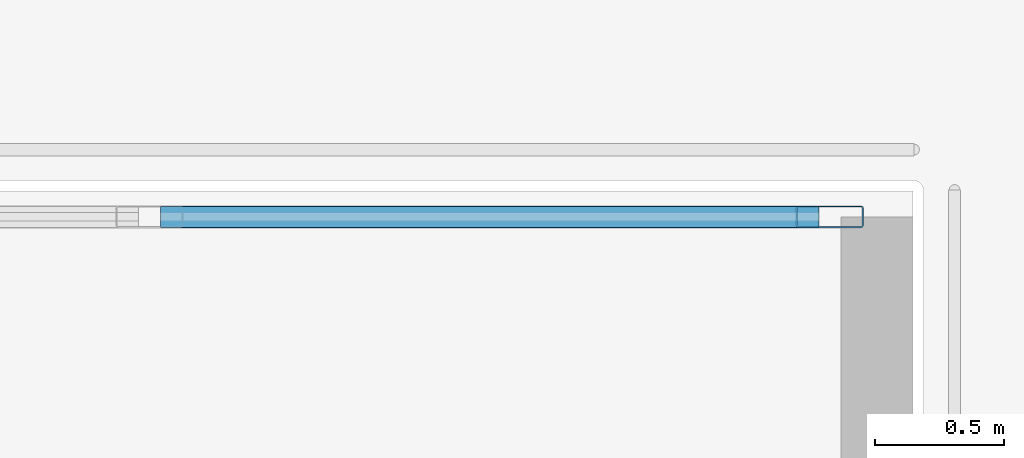
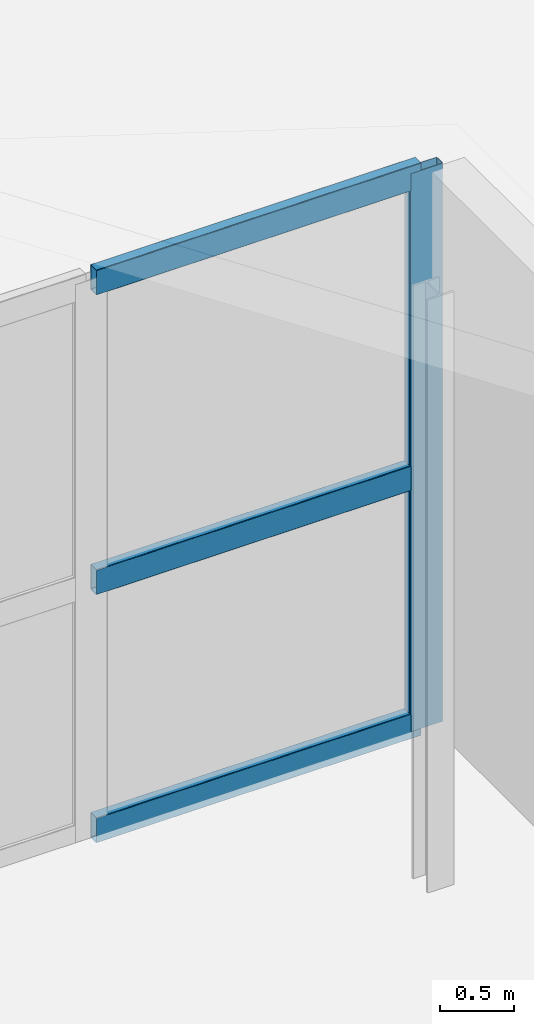
# One storey, part 5 of 9: 4 members, 1 element without a shape of its own.
"""IFC4 building model written with IfcOpenShell, lengths in metres."""

from ifc_helpers import new_model, si_unit, direction, frame, origin, origin_2d, place, context, subcontext, project, spatial, hollow_rectangle, extrude, material, layer, layer_set, material_profile, profile_set, type_object, element, aggregate, save


model = new_model("IFC4")

# Units and contexts
model_context = context("Model", 3, precision=1e-05, world=origin(), true_north=direction((0.0, 1.0)))
body_context = subcontext(model_context, "Body", "Model", "MODEL_VIEW")
ifc_project = project(units=[si_unit("LENGTHUNIT", "METRE"), si_unit("AREAUNIT", "SQUARE_METRE"), si_unit("VOLUMEUNIT", "CUBIC_METRE"), si_unit("PLANEANGLEUNIT", "RADIAN"), si_unit("MASSUNIT", "GRAM", prefix="KILO")], contexts=[model_context])

# Site, building, storey
site_placement = place(None, origin())
site = spatial("IfcSite", under=ifc_project, at=site_placement, CompositionType="ELEMENT")
building_placement = place(site_placement, origin())
building = spatial("IfcBuilding", under=site, at=building_placement, Name="Varnakote Quay Hospital", CompositionType="ELEMENT")
storey_placement = place(building_placement, frame((0.0, 0.0, 309.199951171875)))
storey = spatial("IfcBuildingStorey", under=building, at=storey_placement, Name="RF", CompositionType="ELEMENT", Elevation=309.199951171875)

# Curtain wall, members
ifc_material_1 = material(Name="Anodised aluminium 6063-T6 Bronze", Category="aluminium")
ifc_layer = layer(ifc_material_1, 0.25)
ifc_layer_set = layer_set([ifc_layer], Name="Anodised aluminium 6063-T6 Bronze")
curtain_wall_type = type_object("IfcCurtainWallType", Name="CW-SYS-6", PredefinedType="NOTDEFINED", material=ifc_layer_set)
curtain_wall_placement = place(storey_placement, origin())
curtain_wall = element("IfcCurtainWall", 1, at=curtain_wall_placement, inside=storey, type_object=curtain_wall_type, Name="RF Slanted-Cut Crown Curtain Wall 151", PredefinedType="NOTDEFINED")
ifc_material_2 = material(Name="Anodised aluminium 6063-T6 Bronze", Category="aluminium")
ifc_material_profile_1 = material_profile(ifc_material_2, hollow_rectangle(XDim=0.0849609375, YDim=0.260009765625, WallThickness=0.0048828125, InnerFilletRadius=0.0048828125, OuterFilletRadius=0.010009765625, at=origin_2d()), Name="CW-MULL-260x85")
ifc_profile_set_1 = profile_set([ifc_material_profile_1], Name="Anodised aluminium 6063-T6 Bronze")
member_type_1 = type_object("IfcMemberType", Name="CW-MULL-260x85", PredefinedType="MULLION", material=ifc_profile_set_1)
member_1_placement = place(storey_placement, frame((34.4775390625, 13.64990234375, 0.0), z_axis=(0.0, 0.0, 1.0), x_axis=(0.0, 1.0, 0.0)))
member_1 = element("IfcMember", 2, at=member_1_placement, type_object=member_type_1, Name="CW6-RF-151 mullion 4", PredefinedType="MULLION", context=body_context, shape_type="SweptSolid", body=[
    extrude(hollow_rectangle(XDim=0.0849609375, YDim=0.260009765625, WallThickness=0.0048828125, InnerFilletRadius=0.0048828125, OuterFilletRadius=0.010009765625, at=origin_2d()), origin(), (0.0, 0.0, 1.0), 4.628662109375),
])
ifc_material_3 = material(Name="Anodised aluminium 6063-T6 Bronze", Category="aluminium")
ifc_material_profile_2 = material_profile(ifc_material_3, hollow_rectangle(XDim=0.0849609375, YDim=0.2099609375, WallThickness=0.00439453125, InnerFilletRadius=0.00439453125, OuterFilletRadius=0.009033203125, at=origin_2d()), Name="CW-TRAN-210x85")
ifc_profile_set_2 = profile_set([ifc_material_profile_2], Name="Anodised aluminium 6063-T6 Bronze")
member_type_2 = type_object("IfcMemberType", Name="CW-TRAN-210x85", PredefinedType="USERDEFINED", material=ifc_profile_set_2)
member_2_placement = place(storey_placement, frame((31.88916015625, 13.64990234375, 0.04248046875), z_axis=(1.0, 0.0, 0.0), x_axis=(0.0, 1.0, 0.0)))
member_2 = element("IfcMember", 3, at=member_2_placement, type_object=member_type_2, Name="CW6-RF-151 transom 3.1", ObjectType="TRANSOM", PredefinedType="USERDEFINED", context=body_context, shape_type="SweptSolid", body=[
    extrude(hollow_rectangle(XDim=0.0849609375, YDim=0.2099609375, WallThickness=0.00439453125, InnerFilletRadius=0.00439453125, OuterFilletRadius=0.009033203125, at=origin_2d()), origin(), (0.0, 0.0, 1.0), 2.5458984375),
])
member_3_placement = place(storey_placement, frame((31.88916015625, 13.64990234375, 2.10009765625), z_axis=(1.0, 0.0, 0.0), x_axis=(0.0, 1.0, 0.0)))
member_3 = element("IfcMember", 4, at=member_3_placement, type_object=member_type_2, Name="CW6-RF-151 transom 3.2", ObjectType="TRANSOM", PredefinedType="USERDEFINED", context=body_context, shape_type="SweptSolid", body=[
    extrude(hollow_rectangle(XDim=0.0849609375, YDim=0.2099609375, WallThickness=0.00439453125, InnerFilletRadius=0.00439453125, OuterFilletRadius=0.009033203125, at=origin_2d()), origin(), (0.0, 0.0, 1.0), 2.5458984375),
])
member_4_placement = place(storey_placement, frame((31.88916015625, 13.64990234375, 4.5859375), z_axis=(1.0, 0.0, 0.0), x_axis=(0.0, 1.0, 0.0)))
member_4 = element("IfcMember", 5, at=member_4_placement, type_object=member_type_2, Name="CW6-RF-151 transom 3.3", ObjectType="TRANSOM", PredefinedType="USERDEFINED", context=body_context, shape_type="SweptSolid", body=[
    extrude(hollow_rectangle(XDim=0.0849609375, YDim=0.2099609375, WallThickness=0.00439453125, InnerFilletRadius=0.00439453125, OuterFilletRadius=0.009033203125, at=origin_2d()), origin(), (0.0, 0.0, 1.0), 2.5458984375),
])
aggregate(curtain_wall, [member_1, member_2, member_3, member_4])

save(model, "model.ifc")
